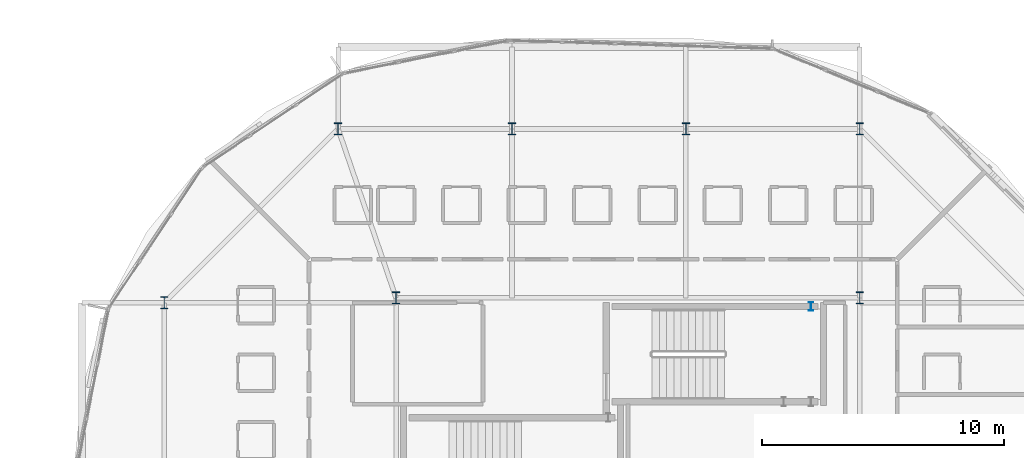
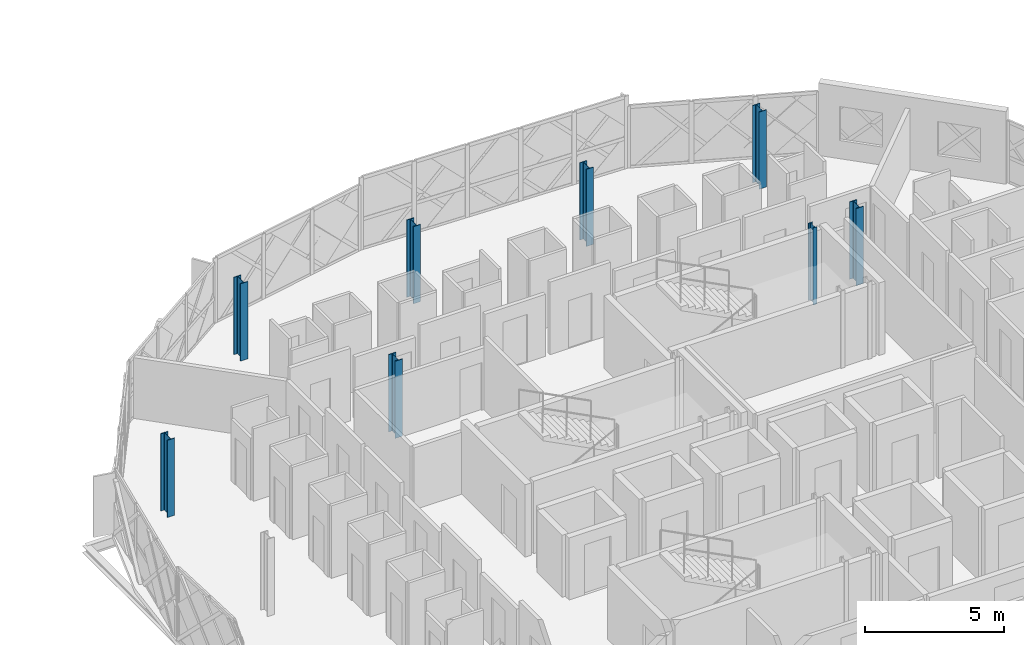
# One storey, part 3 of 26: 8 columns.
"""IFC4 building model written with IfcOpenShell, lengths in metres."""

import ifcopenshell
import ifcopenshell.guid

model = None  # the IFC model being written
_history = None  # IfcOwnerHistory: only IFC2X3 demands one
_inside = {}  # id of a spatial element -> (the spatial element, [elements in it])
_under = {}  # id of a project, library or spatial element -> (it, [spatial elements below it])
_declared = {}  # id of a project -> (the project, [libraries it declares])
_typed = {}  # id of a type object -> (the type object, [elements of that type])
_made_of = {}  # id of a material, layer set ... -> (it, [elements and type objects made of it])


def new_model(schema):
    """Start an empty IFC model of exactly this schema.

    Asked for "IFC4X3", IfcOpenShell would pick the latest addendum, in which some entities
    have other attributes; the version numbers below select the first issue.
    IFC2X3 requires an IfcOwnerHistory on every rooted entity: one is made here for all.
    """
    global model, _history
    if schema == "IFC4X3":
        model = ifcopenshell.file(schema_version=(4, 3, 0, 0))
    else:
        model = ifcopenshell.file(schema=schema)
    _inside.clear()
    _under.clear()
    _declared.clear()
    _typed.clear()
    _made_of.clear()
    _history = None
    if model.schema == "IFC2X3":
        org = make("IfcOrganization", Name="unknown")
        user = make(
            "IfcPersonAndOrganization",
            ThePerson=make("IfcPerson", FamilyName="unknown"),
            TheOrganization=org,
        )
        app = make(
            "IfcApplication",
            ApplicationDeveloper=org,
            Version="unknown",
            ApplicationFullName="unknown",
            ApplicationIdentifier="unknown",
        )
        _history = make(
            "IfcOwnerHistory",
            OwningUser=user,
            OwningApplication=app,
            ChangeAction="ADDED",
            CreationDate=0,
        )
    return model


def make(cls, **values):
    """One entity of the class cls with the attributes given. An attribute that is None is left unset."""
    return model.create_entity(
        cls, **{name: value for name, value in values.items() if value is not None}
    )


def rooted(cls, **values):
    """An entity with a GlobalId (a new one), such as an element, a storey or a relation."""
    return make(cls, GlobalId=ifcopenshell.guid.new(), OwnerHistory=_history, **values)


def si_unit(unit_type, name, prefix=None):
    """IfcSIUnit, for example si_unit("LENGTHUNIT", "METRE", prefix="MILLI")."""
    return make("IfcSIUnit", UnitType=unit_type, Prefix=prefix, Name=name)


def assignment(units):
    """IfcUnitAssignment: the units of a project."""
    return None if units is None else make("IfcUnitAssignment", Units=units)


def point(xyz):
    """IfcCartesianPoint."""
    return None if xyz is None else make("IfcCartesianPoint", Coordinates=xyz)


def direction(xyz):
    """IfcDirection."""
    return None if xyz is None else make("IfcDirection", DirectionRatios=xyz)


def frame(location, z_axis=None, x_axis=None):
    """IfcAxis2Placement3D, a coordinate frame: its origin and axes. An axis left out is left unset."""
    return make(
        "IfcAxis2Placement3D",
        Location=point(location),
        Axis=direction(z_axis),
        RefDirection=direction(x_axis),
    )


def frame_2d(location, x_axis=None):
    """IfcAxis2Placement2D, a coordinate frame in the plane: its origin and x axis."""
    return make(
        "IfcAxis2Placement2D", Location=point(location), RefDirection=direction(x_axis)
    )


def origin():
    """The frame at (0, 0, 0) with its axes left unset."""
    return frame((0.0, 0.0, 0.0))


def origin_2d():
    """The frame at (0, 0) in the plane with its x axis left unset."""
    return frame_2d((0.0, 0.0))


def place(relative_to, where):
    """IfcLocalPlacement: puts the frame where relative to a parent placement (None: the world)."""
    return make(
        "IfcLocalPlacement", PlacementRelTo=relative_to, RelativePlacement=where
    )


def context(
    kind, dimensions, precision=None, world=None, true_north=None, identifier=None
):
    """IfcGeometricRepresentationContext, for example the 3D "Model" context."""
    return make(
        "IfcGeometricRepresentationContext",
        ContextIdentifier=identifier,
        ContextType=kind,
        CoordinateSpaceDimension=dimensions,
        Precision=precision,
        WorldCoordinateSystem=world,
        TrueNorth=true_north,
    )


def subcontext(parent, identifier, kind, view, scale=None):
    """IfcGeometricRepresentationSubContext, for example "Body" below "Model"."""
    return make(
        "IfcGeometricRepresentationSubContext",
        ContextIdentifier=identifier,
        ContextType=kind,
        ParentContext=parent,
        TargetScale=scale,
        TargetView=view,
    )


def project(units=None, contexts=None):
    """IfcProject with its units and contexts."""
    return rooted(
        "IfcProject",
        Name="project",
        RepresentationContexts=contexts,
        UnitsInContext=assignment(units),
    )


def spatial(cls, under=None, at=None, **own):
    """A site, building, storey or space (cls), placed at a placement, below another one or the project."""
    s = rooted(cls, ObjectPlacement=at, **own)
    if under is not None:
        _under.setdefault(under.id(), (under, []))[1].append(s)
    return s


def profile(cls, at=None, kind="AREA", **sizes):
    """A parametric profile (cls). Its sizes go by their IFC names, for example OverallWidth=200.0."""
    return make(cls, ProfileType=kind, Position=at, **sizes)


def i_section(**sizes):
    """IfcIShapeProfileDef."""
    return profile("IfcIShapeProfileDef", **sizes)


def extrude(swept, where, along, depth):
    """IfcExtrudedAreaSolid: the profile swept, set in the frame where, extruded along a direction by depth."""
    return make(
        "IfcExtrudedAreaSolid",
        SweptArea=swept,
        Position=where,
        ExtrudedDirection=direction(along),
        Depth=depth,
    )


def shape(context_of_items, identifier, shape_type, items):
    """IfcShapeRepresentation: the items that make up one representation, for example the "Body"."""
    return make(
        "IfcShapeRepresentation",
        ContextOfItems=context_of_items,
        RepresentationIdentifier=identifier,
        RepresentationType=shape_type,
        Items=items,
    )


def material(Name=None, Category=None):
    """IfcMaterial."""
    return make("IfcMaterial", Name=Name, Category=Category)


def material_profile(
    of_material, cross_section, Name=None, Category=None, Priority=None
):
    """IfcMaterialProfile: a cross section and its material."""
    return make(
        "IfcMaterialProfile",
        Name=Name,
        Material=of_material,
        Profile=cross_section,
        Priority=Priority,
        Category=Category,
    )


def profile_set(profiles, Name=None, composite=None):
    """IfcMaterialProfileSet."""
    return make(
        "IfcMaterialProfileSet",
        Name=Name,
        MaterialProfiles=profiles,
        CompositeProfile=composite,
    )


def made_of(thing, what):
    """Note that an element or type object is made of a material, layer set ...; save() writes the relation."""
    if what is not None:
        _made_of.setdefault(what.id(), (what, []))[1].append(thing)
    return thing


def type_object(cls, material=None, **own):
    """A type object (cls), such as IfcWallType, which elements share."""
    return made_of(rooted(cls, **own), material)


def element(
    cls,
    number,
    at=None,
    inside=None,
    cuts=None,
    type_object=None,
    material=None,
    context=None,
    identifier="Body",
    shape_type=None,
    held_by="IfcProductDefinitionShape",
    body=None,
    shapes=None,
    **own,
):
    """One element of the class cls, such as IfcWall. Its Tag is "e" and its number.

    at: its placement. inside: the storey or other place that contains it. cuts: it is an
    opening in that element (IfcRelVoidsElement). A single representation is given by context,
    identifier, shape_type and body (its items); several are given by shapes. held_by: the class
    of the entity that holds the representations. save() writes the other relations.
    """
    e = rooted(cls, Tag="e%d" % number, ObjectPlacement=at, **own)
    if body is not None:
        shapes = [shape(context, identifier, shape_type, body)]
    if shapes is not None:
        e.Representation = make(held_by, Representations=shapes)
    if inside is not None:
        _inside.setdefault(inside.id(), (inside, []))[1].append(e)
    if cuts is not None:
        rooted(
            "IfcRelVoidsElement", RelatingBuildingElement=cuts, RelatedOpeningElement=e
        )
    if type_object is not None:
        _typed.setdefault(type_object.id(), (type_object, []))[1].append(e)
    return made_of(e, material)


def aggregate(whole, parts):
    """IfcRelAggregates: a whole, such as a stair, and the parts it consists of."""
    return rooted("IfcRelAggregates", RelatingObject=whole, RelatedObjects=parts)


def save(model, path):
    """Write the relations noted so far, then the file.

    IfcRelAggregates (storeys below a building ...), IfcRelContainedInSpatialStructure (elements
    in a storey), IfcRelDefinesByType, IfcRelAssociatesMaterial and IfcRelDeclares: one each for
    every whole, place, type object, material and project.
    """
    for whole, parts in _under.values():
        aggregate(whole, parts)
    for where, things in _inside.values():
        rooted(
            "IfcRelContainedInSpatialStructure",
            RelatedElements=things,
            RelatingStructure=where,
        )
    for kind, things in _typed.values():
        rooted("IfcRelDefinesByType", RelatedObjects=things, RelatingType=kind)
    for what, things in _made_of.values():
        rooted("IfcRelAssociatesMaterial", RelatedObjects=things, RelatingMaterial=what)
    for by, libraries in _declared.values():
        rooted("IfcRelDeclares", RelatingContext=by, RelatedDefinitions=libraries)
    model.write(path)


model = new_model("IFC4")

# Units and contexts
model_context = context("Model", 3, precision=1e-05, world=origin(), true_north=direction((0.0, 1.0)))
body_context = subcontext(model_context, "Body", "Model", "MODEL_VIEW")
ifc_project = project(units=[si_unit("LENGTHUNIT", "METRE"), si_unit("AREAUNIT", "SQUARE_METRE"), si_unit("VOLUMEUNIT", "CUBIC_METRE"), si_unit("PLANEANGLEUNIT", "RADIAN"), si_unit("MASSUNIT", "GRAM", prefix="KILO")], contexts=[model_context])

# Site, building, storey
site_placement = place(None, origin())
site = spatial("IfcSite", under=ifc_project, at=site_placement, CompositionType="ELEMENT")
building_placement = place(site_placement, origin())
building = spatial("IfcBuilding", under=site, at=building_placement, Name="Zevrakil Square Congress Hotel", CompositionType="ELEMENT")
storey_placement = place(building_placement, frame((0.0, 0.0, 24.89990234375)))
storey = spatial("IfcBuildingStorey", under=building, at=storey_placement, Name="L07", CompositionType="ELEMENT", Elevation=24.89990234375)

# Columns
ifc_material_1 = material(Name="Steel S355", Category="steel")
ifc_material_profile_1 = material_profile(ifc_material_1, i_section(OverallWidth=0.300048828125, OverallDepth=0.5, WebThickness=0.014404296875, FlangeThickness=0.028076171875, FilletRadius=0.027099609375, at=origin_2d()), Name="HEB 500")
ifc_profile_set_1 = profile_set([ifc_material_profile_1], Name="Steel S355")
column_type_1 = type_object("IfcColumnType", Name="COL-HEB500", PredefinedType="COLUMN", material=ifc_profile_set_1)
for number, where, z_axis, x_axis, name in (
    (1, (136.800048828125, 38.60009765625, 0.0), (0.0, 0.0, 1.0), (1.0, 0.0, 0.0), "L07 drum core collar column CC01"),
    (2, (156.0, 38.60009765625, 0.0), (0.0, 0.0, 1.0), (1.0, 0.0, 0.0), "L07 drum core collar column CC02"),
    (3, (156.0, 45.60009765625, 0.0), (0.0, 0.0, 1.0), (1.0, 0.0, 0.0), "L07 drum column DC09"),
    (4, (148.800048828125, 45.60009765625, 0.0), (0.0, 0.0, 1.0), (1.0, 0.0, 0.0), "L07 drum column DC10"),
    (5, (141.60009765625, 45.60009765625, 0.0), (0.0, 0.0, 1.0), (1.0, 0.0, 0.0), "L07 drum column DC11"),
    (6, (134.39990234375, 45.60009765625, 0.0), (0.0, 0.0, 1.0), (1.0, 0.0, 0.0), "L07 drum column DC12"),
    (7, (127.199951171875, 38.39990234375, 0.0), (0.0, 0.0, 1.0), (1.0, 0.0, 0.0), "L07 drum column DC13"),
):
    element("IfcColumn", number, at=place(storey_placement, frame(where, z_axis=z_axis, x_axis=x_axis)), inside=storey, type_object=column_type_1, Name=name, PredefinedType="COLUMN", context=body_context, shape_type="SweptSolid", body=[
        extrude(i_section(OverallWidth=0.300048828125, OverallDepth=0.5, WebThickness=0.014404296875, FlangeThickness=0.028076171875, FilletRadius=0.027099609375, at=origin_2d()), origin(), (0.0, 0.0, 1.0), 3.400146484375),
    ])
ifc_material_2 = material(Name="Steel S355", Category="steel")
ifc_material_profile_2 = material_profile(ifc_material_2, i_section(OverallWidth=0.169921875, OverallDepth=0.360107421875, WebThickness=0.008056640625, FlangeThickness=0.0126953125, FilletRadius=0.01806640625, at=origin_2d()), Name="IPE 360")
ifc_profile_set_2 = profile_set([ifc_material_profile_2], Name="Steel S355")
column_type_2 = type_object("IfcColumnType", Name="COL-PILASTER-SHS180", PredefinedType="PILASTER", material=ifc_profile_set_2)
column_placement = place(storey_placement, frame((153.97998046875, 38.25, 0.0), z_axis=(0.0, 0.0, 1.0), x_axis=(1.0, 0.0, 0.0)))
element("IfcColumn", 8, at=column_placement, inside=storey, type_object=column_type_2, Name="L07 ST03 stair shaft post 3", PredefinedType="PILASTER", context=body_context, shape_type="SweptSolid", body=[
    extrude(i_section(OverallWidth=0.169921875, OverallDepth=0.360107421875, WebThickness=0.008056640625, FlangeThickness=0.0126953125, FilletRadius=0.01806640625, at=origin_2d()), origin(), (0.0, 0.0, 1.0), 3.400146484375),
])

save(model, "model.ifc")
